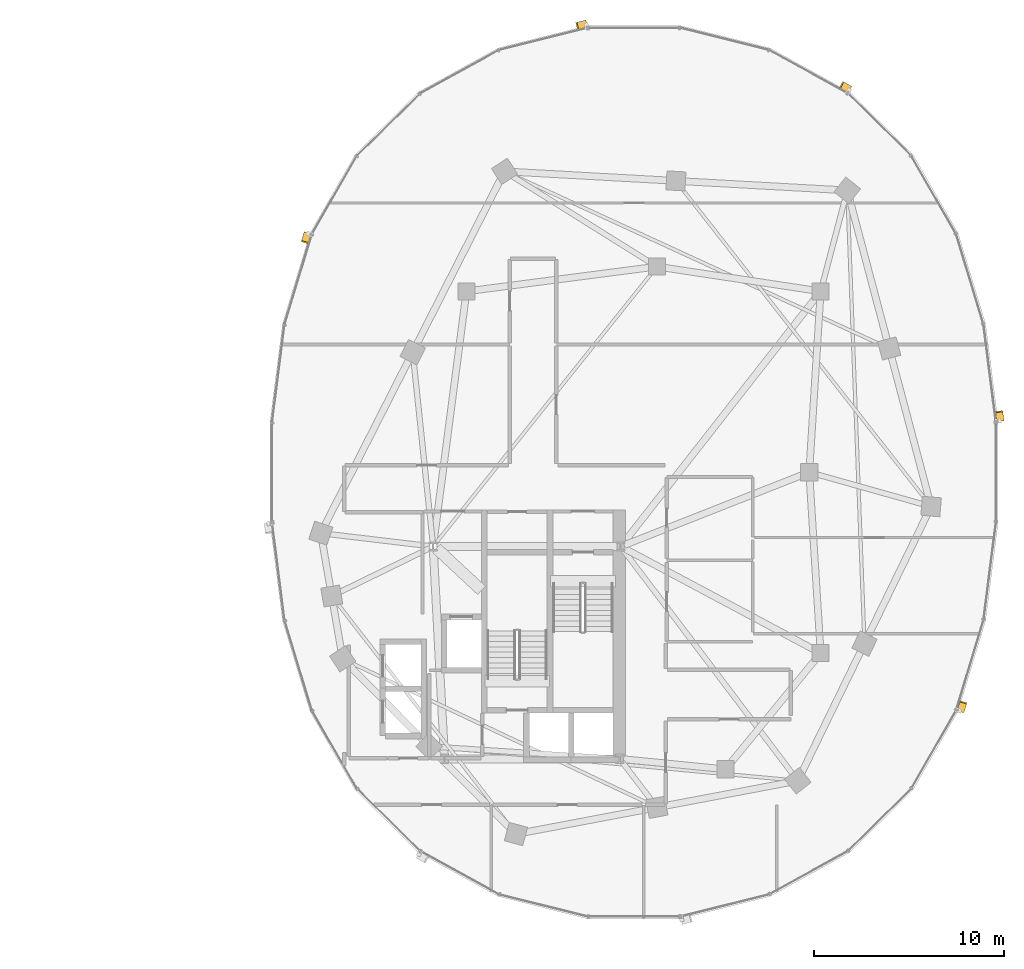
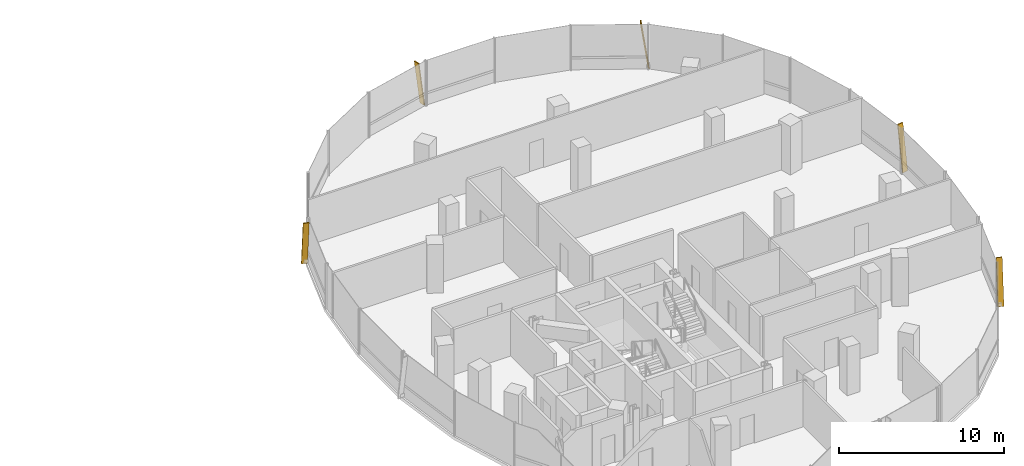
# One storey, part 23 of 23: 5 shading devices.
"""IFC4 building model written with IfcOpenShell, lengths in metres."""

from ifc_helpers import new_model, si_unit, direction, frame, origin, origin_2d, place, context, subcontext, project, spatial, rectangle, extrude, material, material_profile, profile_set, type_object, element, save


model = new_model("IFC4")

# Units and contexts
model_context = context("Model", 3, precision=1e-05, world=origin(), true_north=direction((0.0, 1.0)))
body_context = subcontext(model_context, "Body", "Model", "MODEL_VIEW")
ifc_project = project(units=[si_unit("LENGTHUNIT", "METRE"), si_unit("AREAUNIT", "SQUARE_METRE"), si_unit("VOLUMEUNIT", "CUBIC_METRE"), si_unit("PLANEANGLEUNIT", "RADIAN"), si_unit("MASSUNIT", "GRAM", prefix="KILO"), si_unit("THERMODYNAMICTEMPERATUREUNIT", "KELVIN"), si_unit("POWERUNIT", "WATT")], contexts=[model_context])

# Site, building, storey
site_placement = place(None, origin())
site = spatial("IfcSite", under=ifc_project, at=site_placement, CompositionType="ELEMENT")
building_placement = place(site_placement, origin())
building = spatial("IfcBuilding", under=site, at=building_placement, Name="Cundina Bronze Exchange", CompositionType="ELEMENT")
storey_placement = place(building_placement, frame((0.0, 0.0, 169.199951171875)))
storey = spatial("IfcBuildingStorey", under=building, at=storey_placement, Name="L44", CompositionType="ELEMENT", Elevation=169.199951171875)

# Shading devices
ifc_material = material(Name="Anodised Bronze Aluminium 6063-T6", Category="aluminium")
ifc_material_profile = material_profile(ifc_material, rectangle(XDim=0.070068359375, YDim=0.3798828125, at=origin_2d()), Name="FIN70X380", Category="aluminium")
ifc_profile_set = profile_set([ifc_material_profile], Name="Anodised Bronze Aluminium 6063-T6")
shading_device_type = type_object("IfcShadingDeviceType", Name="SHD-FIN-BRZ380", PredefinedType="USERDEFINED", material=ifc_profile_set)
for number, where, z_axis, x_axis, name in (
    (1, (51.23486328125, 2.705810546875, 0.02001953125), (-0.018121805099, 0.141917750773, 0.989712560391), (0.125360789044, -0.981741119016, 0.143070080046), "L44 Diagonal Bronze Solar Fin 1"),
    (2, (43.320068359375, 20.11181640625, 0.02001953125), (-0.125324460949, 0.068993954111, 0.989713905017), (0.867011652888, -0.477309551067, 0.143060778049), "L44 Diagonal Bronze Solar Fin 5"),
    (3, (29.48046875, 23.556396484375, 0.02001953125), (-0.138788401144, -0.034715294885, 0.989713407007), (0.960133415413, 0.240159223467, 0.14306422331), "L44 Diagonal Bronze Solar Fin 1"),
    (4, (14.848876953125, 12.5439453125, 0.02001953125), (-0.041483395017, -0.136967981441, 0.989706471636), (0.286882504107, 0.947215566191, 0.143112193758), "L44 Diagonal Bronze Solar Fin 5"),
    (5, (49.151123046875, -12.5439453125, 0.02001953125), (0.041483395017, 0.136967981441, 0.989706471636), (-0.286882504107, -0.947215566191, 0.143112193758), "L44 Diagonal Bronze Solar Fin 5"),
):
    element("IfcShadingDevice", number, at=place(storey_placement, frame(where, z_axis=z_axis, x_axis=x_axis)), inside=storey, type_object=shading_device_type, Name=name, ObjectType="FIN", PredefinedType="USERDEFINED", context=body_context, shape_type="SweptSolid", body=[
        extrude(rectangle(XDim=0.070068359375, YDim=0.3798828125, at=origin_2d()), origin(), (0.0, 0.0, 1.0), 3.3544921875),
    ])

save(model, "model.ifc")
